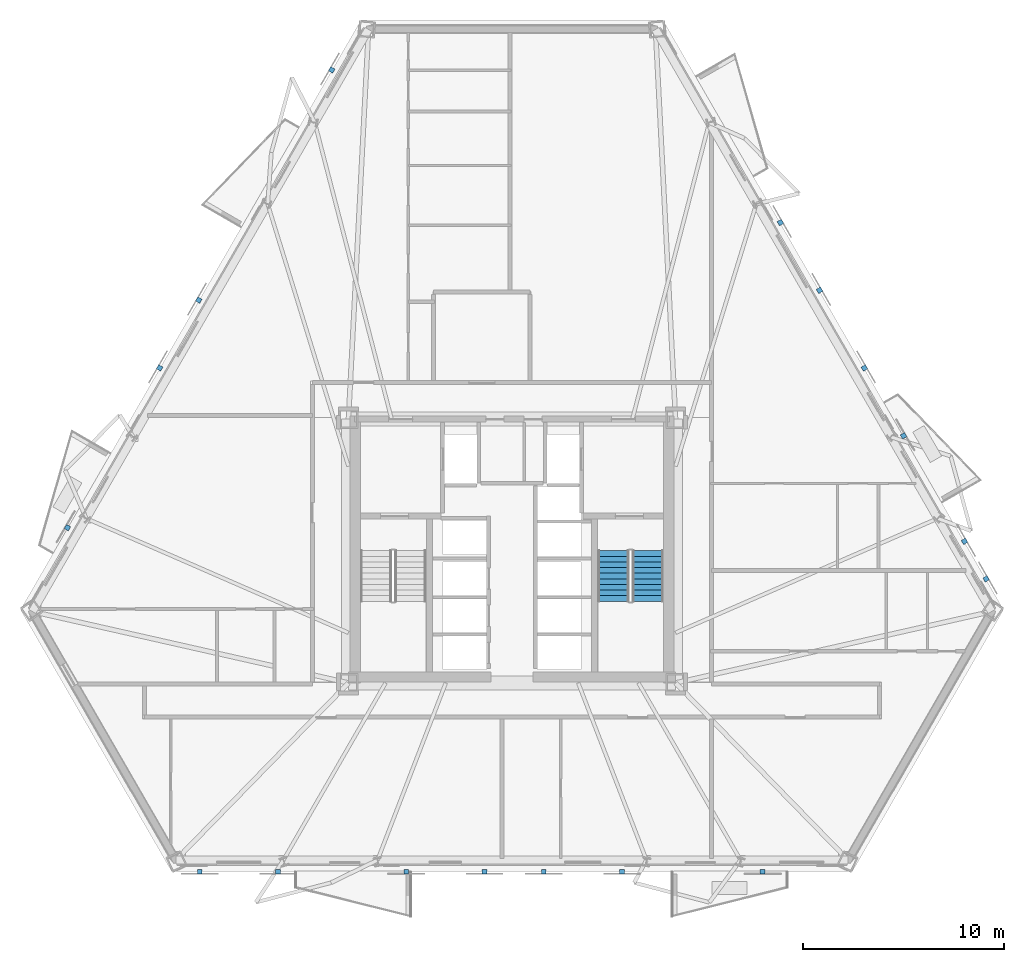
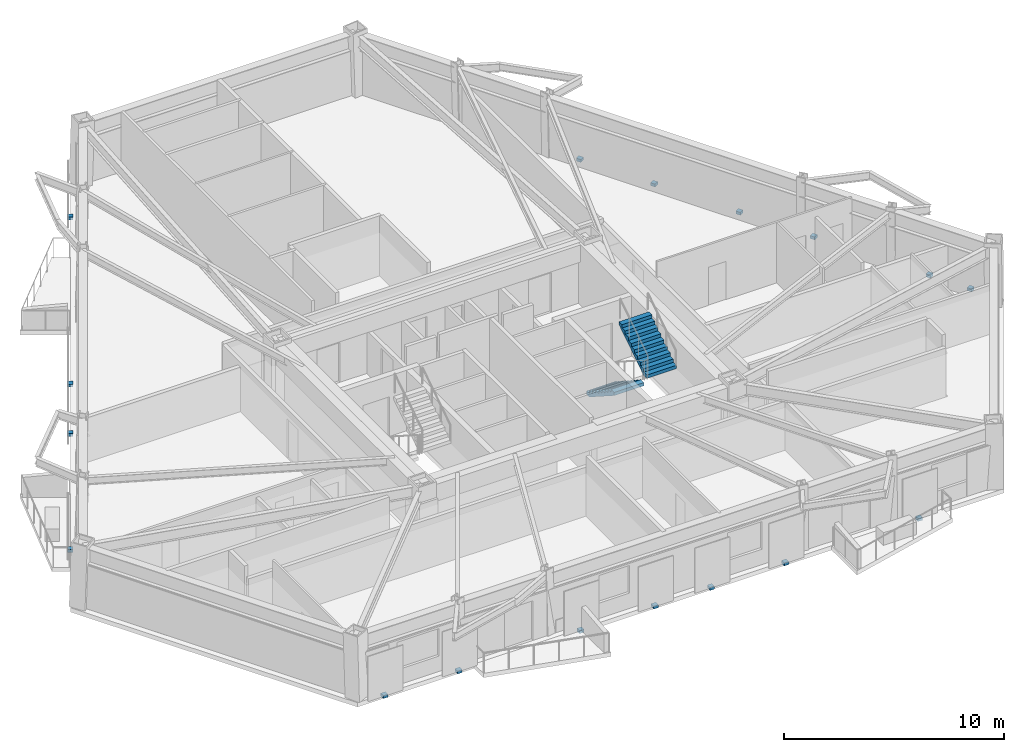
# One storey, part 6 of 10: 17 discrete accessories, 2 stair flights, 1 element without a shape of its own.
"""IFC4 building model written with IfcOpenShell, lengths in metres."""

from ifc_helpers import new_model, si_unit, direction, frame, origin, origin_2d, place, context, subcontext, project, spatial, polyline, rectangle, outline, extrude, material, type_object, element, aggregate, save


model = new_model("IFC4")

# Units and contexts
model_context = context("Model", 3, precision=1e-05, world=origin(), true_north=direction((0.0, 1.0)))
body_context = subcontext(model_context, "Body", "Model", "MODEL_VIEW")
ifc_project = project(units=[si_unit("LENGTHUNIT", "METRE"), si_unit("AREAUNIT", "SQUARE_METRE"), si_unit("VOLUMEUNIT", "CUBIC_METRE"), si_unit("PLANEANGLEUNIT", "RADIAN"), si_unit("MASSUNIT", "GRAM", prefix="KILO")], contexts=[model_context])

# Site, building, storey
site_placement = place(None, origin())
site = spatial("IfcSite", under=ifc_project, at=site_placement, CompositionType="ELEMENT")
building_placement = place(site_placement, origin())
building = spatial("IfcBuilding", under=site, at=building_placement, Name="Oramaril Tower", CompositionType="ELEMENT")
storey_placement = place(building_placement, frame((0.0, 0.0, 52.5)))
storey = spatial("IfcBuildingStorey", under=building, at=storey_placement, Name="L13", CompositionType="ELEMENT", Elevation=52.5)

# Stair, stair flights
ifc_material_1 = material(Name="Concrete C50/60", Category="concrete")
stair_type = type_object("IfcStairType", Name="STT-DG-3600", PredefinedType="HALF_TURN_STAIR", material=ifc_material_1)
stair_placement = place(storey_placement, origin())
stair = element("IfcStair", 1, at=stair_placement, inside=storey, type_object=stair_type, Name="L13 Protected PFP Exit Stair ST-2", PredefinedType="HALF_TURN_STAIR")
ifc_material_2 = material(Name="Concrete C50/60", Category="concrete")
stair_flight_type = type_object("IfcStairFlightType", Name="SFT-DG-3600", PredefinedType="STRAIGHT", material=ifc_material_2)
stair_flight_1_placement = place(storey_placement, frame((42.56005859375, 17.590087890625, 0.0), z_axis=(0.0, 0.0, 1.0), x_axis=(0.0, -1.0, 0.0)))
stair_flight_1 = element("IfcStairFlight", 2, at=stair_flight_1_placement, type_object=stair_flight_type, Name="ST-2 flight 1", NumberOfRisers=10, NumberOfTreads=9, PredefinedType="STRAIGHT", RiserHeight=0.18, TreadLength=0.28, context=body_context, shape_type="SweptSolid", body=[
    extrude(outline(polyline([(0.0, 0.0), (0.0, 0.179931640625), (0.280029296875, 0.179931640625), (0.280029296875, 0.360107421875), (0.56005859375, 0.360107421875), (0.56005859375, 0.5400390625), (0.840087890625, 0.5400390625), (0.840087890625, 0.719970703125), (1.1201171875, 0.719970703125), (1.1201171875, 0.89990234375), (1.39990234375, 0.89990234375), (1.39990234375, 1.080078125), (1.679931640625, 1.080078125), (1.679931640625, 1.260009765625), (1.9599609375, 1.260009765625), (1.9599609375, 1.43994140625), (2.239990234375, 1.43994140625), (2.239990234375, 1.6201171875), (2.52001953125, 1.6201171875), (2.52001953125, 1.800048828125), (2.52001953125, 1.44189453125), (0.277099609375, 0.0), (0.0, 0.0)])), frame((0.0, 0.780029296875, 0.0), z_axis=(0.0, -1.0, 0.0), x_axis=(1.0, 0.0, 0.0)), (0.0, 0.0, 1.0), 1.56005859375),
])
stair_flight_2_placement = place(storey_placement, frame((44.27001953125, 15.070068359375, 1.800048828125), z_axis=(0.0, 0.0, 1.0), x_axis=(0.0, 1.0, 0.0)))
stair_flight_2 = element("IfcStairFlight", 3, at=stair_flight_2_placement, type_object=stair_flight_type, Name="ST-2 flight 2", NumberOfRisers=10, NumberOfTreads=9, PredefinedType="STRAIGHT", RiserHeight=0.18, TreadLength=0.28, context=body_context, shape_type="SweptSolid", body=[
    extrude(outline(polyline([(0.0, 0.0), (0.0, 0.179931640625), (0.280029296875, 0.179931640625), (0.280029296875, 0.360107421875), (0.56005859375, 0.360107421875), (0.56005859375, 0.5400390625), (0.840087890625, 0.5400390625), (0.840087890625, 0.719970703125), (1.1201171875, 0.719970703125), (1.1201171875, 0.89990234375), (1.39990234375, 0.89990234375), (1.39990234375, 1.080078125), (1.679931640625, 1.080078125), (1.679931640625, 1.260009765625), (1.9599609375, 1.260009765625), (1.9599609375, 1.43994140625), (2.239990234375, 1.43994140625), (2.239990234375, 1.6201171875), (2.52001953125, 1.6201171875), (2.52001953125, 1.800048828125), (2.52001953125, 1.44189453125), (0.277099609375, 0.0), (0.0, 0.0)])), frame((0.0, 0.780029296875, 0.0), z_axis=(0.0, -1.0, 0.0), x_axis=(1.0, 0.0, 0.0)), (0.0, 0.0, 1.0), 1.56005859375),
])
aggregate(stair, [stair_flight_1, stair_flight_2])

# Discrete accessories
for number, where, z_axis, x_axis, name in (
    (4, (21.93701171875, 1.59765625, -0.14013671875), (0.0, 0.0, 1.0), (1.0, 0.0, 0.0), "L13 Solar Screen Slab Bracket"),
    (5, (25.8369140625, 1.59765625, -0.14013671875), (0.0, 0.0, 1.0), (1.0, 0.0, 0.0), "L13 Solar Screen Slab Bracket"),
    (6, (32.226318359375, 1.59765625, -0.14013671875), (0.0, 0.0, 1.0), (1.0, 0.0, 0.0), "L13 Solar Screen Slab Bracket"),
    (7, (36.12646484375, 1.59765625, -0.14013671875), (0.0, 0.0, 1.0), (1.0, 0.0, 0.0), "L13 Solar Screen Slab Bracket"),
    (8, (39.080810546875, 1.59765625, -0.14013671875), (0.0, 0.0, 1.0), (1.0, 0.0, 0.0), "L13 Solar Screen Slab Bracket"),
    (9, (42.98095703125, 1.59765625, -0.14013671875), (0.0, 0.0, 1.0), (1.0, 0.0, 0.0), "L13 Solar Screen Slab Bracket"),
    (10, (49.987548828125, 1.59765625, -0.14013671875), (0.0, 0.0, 1.0), (1.0, 0.0, 0.0), "L13 Solar Screen Slab Bracket"),
    (11, (61.124267578125, 16.186279296875, -0.14013671875), (0.0, 0.0, 1.0), (-0.5, 0.866025403784, 0.0), "L13 Solar Screen Slab Bracket"),
    (12, (57.008056640625, 23.315673828125, -0.14013671875), (0.0, 0.0, 1.0), (-0.5, 0.866025403784, 0.0), "L13 Solar Screen Slab Bracket"),
    (13, (55.05810546875, 26.693115234375, -0.14013671875), (0.0, 0.0, 1.0), (-0.5, 0.866025403784, 0.0), "L13 Solar Screen Slab Bracket"),
    (14, (52.823486328125, 30.5634765625, -0.14013671875), (0.0, 0.0, 1.0), (-0.5, 0.866025403784, 0.0), "L13 Solar Screen Slab Bracket"),
    (15, (50.87353515625, 33.94091796875, -0.14013671875), (0.0, 0.0, 1.0), (-0.5, 0.866025403784, 0.0), "L13 Solar Screen Slab Bracket"),
    (16, (60.04443359375, 18.056396484375, -0.14013671875), (0.0, 0.0, 1.0), (-0.5, 0.866025403784, 0.0), "L13 Solar Screen Slab Bracket"),
    (17, (15.3486328125, 18.7373046875, -0.14013671875), (0.0, 0.0, 1.0), (-0.5, -0.866025403784, 0.0), "L13 Solar Screen Slab Bracket"),
    (18, (28.5166015625, 41.544677734375, -0.14013671875), (0.0, 0.0, 1.0), (-0.5, -0.866025403784, 0.0), "L13 Solar Screen Slab Bracket"),
    (19, (21.894775390625, 30.075439453125, -0.14013671875), (0.0, 0.0, 1.0), (-0.5, -0.866025403784, 0.0), "L13 Solar Screen Slab Bracket"),
    (20, (19.944580078125, 26.697998046875, -0.14013671875), (0.0, 0.0, 1.0), (-0.5, -0.866025403784, 0.0), "L13 Solar Screen Slab Bracket"),
):
    element("IfcDiscreteAccessory", number, at=place(storey_placement, frame(where, z_axis=z_axis, x_axis=x_axis)), inside=storey, Name=name, PredefinedType="BRACKET", context=body_context, shape_type="SweptSolid", body=[
        extrude(rectangle(XDim=0.239990234375, YDim=0.239990234375, at=origin_2d()), origin(), (0.0, 0.0, 1.0), 0.159912109375),
    ])

save(model, "model.ifc")
